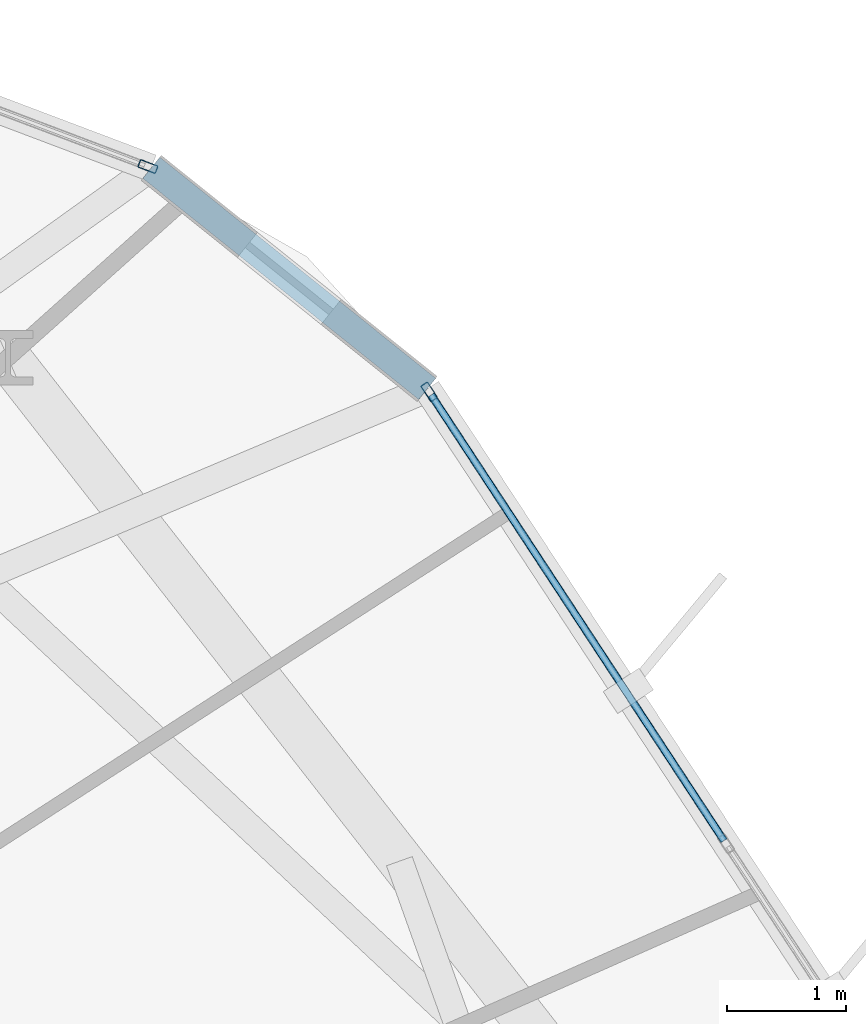
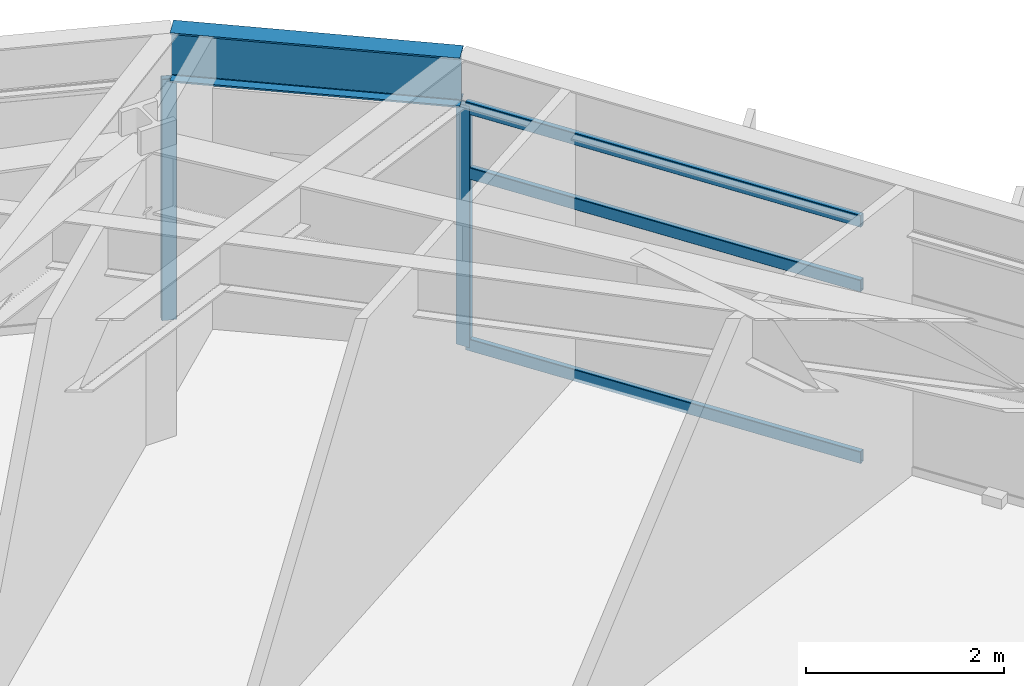
# One storey, part 18 of 25: 5 members, 1 beam, 2 elements without a shape of their own.
"""IFC4 building model written with IfcOpenShell, lengths in metres."""

from ifc_helpers import new_model, si_unit, direction, frame, origin, origin_2d, place, context, subcontext, project, spatial, hollow_rectangle, i_section, extrude, material, layer, layer_set, material_profile, profile_set, type_object, element, aggregate, save


model = new_model("IFC4")

# Units and contexts
model_context = context("Model", 3, precision=1e-05, world=origin(), true_north=direction((0.0, 1.0)))
body_context = subcontext(model_context, "Body", "Model", "MODEL_VIEW")
ifc_project = project(units=[si_unit("LENGTHUNIT", "METRE"), si_unit("AREAUNIT", "SQUARE_METRE"), si_unit("VOLUMEUNIT", "CUBIC_METRE"), si_unit("PLANEANGLEUNIT", "RADIAN"), si_unit("MASSUNIT", "GRAM", prefix="KILO")], contexts=[model_context])

# Site, building, storey
site_placement = place(None, origin())
site = spatial("IfcSite", under=ifc_project, at=site_placement, CompositionType="ELEMENT")
building_placement = place(site_placement, origin())
building = spatial("IfcBuilding", under=site, at=building_placement, Name="Soratama Intermodal Tower", CompositionType="ELEMENT")
storey_placement = place(building_placement, frame((0.0, 0.0, 87.39990234375)))
storey = spatial("IfcBuildingStorey", under=building, at=storey_placement, Name="L20", CompositionType="ELEMENT", Elevation=87.39990234375)

# Beam
ifc_material_1 = material(Name="Structural steel ASTM A992 Grade 50", Category="steel")
ifc_material_profile_1 = material_profile(ifc_material_1, i_section(OverallWidth=0.22900390625, OverallDepth=0.612060546875, WebThickness=0.011962890625, FlangeThickness=0.01953125, FilletRadius=0.012939453125, at=origin_2d()), Name="W24X84")
ifc_profile_set_1 = profile_set([ifc_material_profile_1], Name="Structural steel ASTM A992 Grade 50")
beam_type = type_object("IfcBeamType", Name="BM-SPN-W24X84", PredefinedType="SPANDREL", material=ifc_profile_set_1)
beam_placement = place(storey_placement, frame((58.248046875, 39.1640625, 3.294189453125), z_axis=(-0.780370745498, 0.625317119205, 0.0), x_axis=(-0.625317119205, -0.780370745498, 0.0)))
element("IfcBeam", 1, at=beam_placement, inside=storey, type_object=beam_type, Name="BS-L20-CRN01", PredefinedType="SPANDREL", context=body_context, shape_type="SweptSolid", body=[
    extrude(i_section(OverallWidth=0.22900390625, OverallDepth=0.612060546875, WebThickness=0.011962890625, FlangeThickness=0.01953125, FilletRadius=0.012939453125, at=origin_2d()), origin(), (0.0, 0.0, 1.0), 2.966552734375),
])

# Curtain wall, member
ifc_material_2 = material(Name="Double-glazed aluminium curtain wall", Category="aluminium")
ifc_layer = layer(ifc_material_2, 0.159912109375)
ifc_layer_set = layer_set([ifc_layer], Name="Double-glazed aluminium curtain wall")
curtain_wall_type = type_object("IfcCurtainWallType", Name="CW-SYS-3", PredefinedType="NOTDEFINED", material=ifc_layer_set)
curtain_wall_1_placement = place(storey_placement, origin())
curtain_wall_1 = element("IfcCurtainWall", 2, at=curtain_wall_1_placement, inside=storey, type_object=curtain_wall_type, Name="L20 Faceted Curtain Wall F01", PredefinedType="NOTDEFINED")
ifc_material_3 = material(Name="Anodised aluminium AA 6063-T6", Category="aluminium")
ifc_material_profile_2 = material_profile(ifc_material_3, hollow_rectangle(XDim=0.070068359375, YDim=0.159912109375, WallThickness=0.0048828125, InnerFilletRadius=0.0048828125, OuterFilletRadius=0.010009765625, at=origin_2d()), Name="CWM160X70X5")
ifc_profile_set_2 = profile_set([ifc_material_profile_2], Name="Anodised aluminium AA 6063-T6")
member_type_1 = type_object("IfcMemberType", Name="MT-CWM-3", PredefinedType="MULLION", material=ifc_profile_set_2)
member_1_placement = place(storey_placement, frame((58.264404296875, 39.138671875, 0.0), z_axis=(0.0, 0.0, 1.0), x_axis=(-0.835807444082, -0.549022692078, 0.0)))
member_1 = element("IfcMember", 3, at=member_1_placement, type_object=member_type_1, Name="CW-3 mullion 3", PredefinedType="MULLION", context=body_context, shape_type="SweptSolid", body=[
    extrude(hollow_rectangle(XDim=0.070068359375, YDim=0.159912109375, WallThickness=0.0048828125, InnerFilletRadius=0.0048828125, OuterFilletRadius=0.010009765625, at=origin_2d()), origin(), (0.0, 0.0, 1.0), 2.97900390625),
])

curtain_wall_2_placement = place(storey_placement, origin())
curtain_wall_2 = element("IfcCurtainWall", 4, at=curtain_wall_2_placement, inside=storey, type_object=curtain_wall_type, Name="L20 Faceted Curtain Wall F02", PredefinedType="NOTDEFINED")
member_2_placement = place(storey_placement, frame((55.904541015625, 41.029296875, 0.0), z_axis=(0.0, 0.0, 1.0), x_axis=(-0.353467878982, -0.935446662578, 0.0)))
member_2 = element("IfcMember", 5, at=member_2_placement, type_object=member_type_1, Name="CW-3 mullion 1", PredefinedType="MULLION", context=body_context, shape_type="SweptSolid", body=[
    extrude(hollow_rectangle(XDim=0.070068359375, YDim=0.159912109375, WallThickness=0.0048828125, InnerFilletRadius=0.0048828125, OuterFilletRadius=0.010009765625, at=origin_2d()), origin(), (0.0, 0.0, 1.0), 2.97900390625),
])
aggregate(curtain_wall_2, [member_2])

# Member
ifc_material_4 = material(Name="Anodised aluminium AA 6063-T6", Category="aluminium")
ifc_material_profile_3 = material_profile(ifc_material_4, hollow_rectangle(XDim=0.06494140625, YDim=0.14990234375, WallThickness=0.0048828125, InnerFilletRadius=0.0048828125, OuterFilletRadius=0.010009765625, at=origin_2d()), Name="CWT150X65X5")
ifc_profile_set_3 = profile_set([ifc_material_profile_3], Name="Anodised aluminium AA 6063-T6")
member_type_2 = type_object("IfcMemberType", Name="TT-CWT-1", PredefinedType="USERDEFINED", material=ifc_profile_set_3)
member_3_placement = place(storey_placement, frame((60.737548828125, 35.37353515625, 0.030029296875), z_axis=(-0.549034169435, 0.835799904758, 0.0), x_axis=(-0.835799904758, -0.549034169435, 0.0)))
member_3 = element("IfcMember", 6, at=member_3_placement, type_object=member_type_2, Name="CW-3 transom 2.1", ObjectType="TRANSOM", PredefinedType="USERDEFINED", context=body_context, shape_type="SweptSolid", body=[
    extrude(hollow_rectangle(XDim=0.06494140625, YDim=0.14990234375, WallThickness=0.0048828125, InnerFilletRadius=0.0048828125, OuterFilletRadius=0.010009765625, at=origin_2d()), origin(), (0.0, 0.0, 1.0), 4.474853515625),
])

member_4_placement = place(storey_placement, frame((60.737548828125, 35.37353515625, 2.150146484375), z_axis=(-0.549034169435, 0.835799904758, 0.0), x_axis=(-0.835799904758, -0.549034169435, 0.0)))
member_4 = element("IfcMember", 7, at=member_4_placement, type_object=member_type_2, Name="CW-3 transom 2.2", ObjectType="TRANSOM", PredefinedType="USERDEFINED", context=body_context, shape_type="SweptSolid", body=[
    extrude(hollow_rectangle(XDim=0.06494140625, YDim=0.14990234375, WallThickness=0.0048828125, InnerFilletRadius=0.0048828125, OuterFilletRadius=0.010009765625, at=origin_2d()), origin(), (0.0, 0.0, 1.0), 4.474853515625),
])

member_5_placement = place(storey_placement, frame((60.737548828125, 35.37353515625, 2.94921875), z_axis=(-0.549034169435, 0.835799904758, 0.0), x_axis=(-0.835799904758, -0.549034169435, 0.0)))
member_5 = element("IfcMember", 8, at=member_5_placement, type_object=member_type_2, Name="CW-3 transom 2.3", ObjectType="TRANSOM", PredefinedType="USERDEFINED", context=body_context, shape_type="SweptSolid", body=[
    extrude(hollow_rectangle(XDim=0.06494140625, YDim=0.14990234375, WallThickness=0.0048828125, InnerFilletRadius=0.0048828125, OuterFilletRadius=0.010009765625, at=origin_2d()), origin(), (0.0, 0.0, 1.0), 4.474853515625),
])

aggregate(curtain_wall_1, [member_1, member_3, member_4, member_5])

save(model, "model.ifc")
